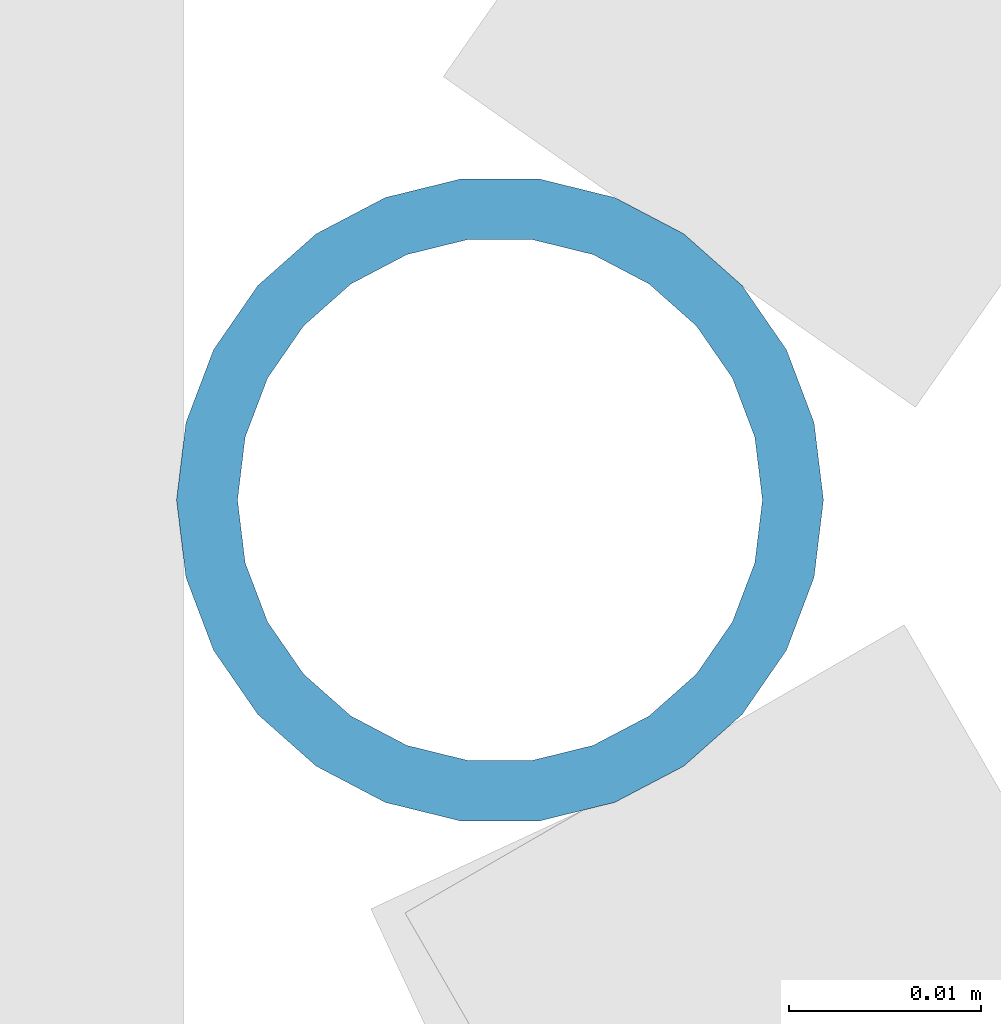
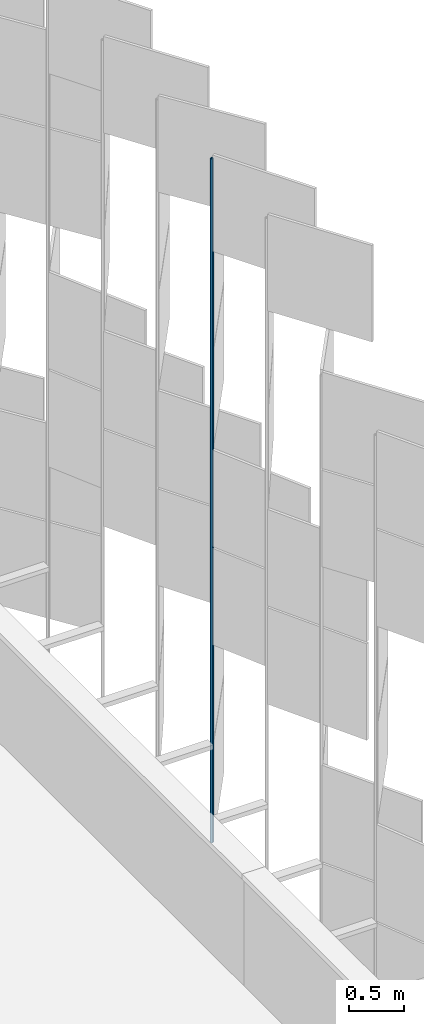
# One storey, part 281 of 483: 1 discrete accessory.
"""IFC4 building model written with IfcOpenShell, lengths in metres."""

import ifcopenshell
import ifcopenshell.guid

model = None  # the IFC model being written
_history = None  # IfcOwnerHistory: only IFC2X3 demands one
_inside = {}  # id of a spatial element -> (the spatial element, [elements in it])
_under = {}  # id of a project, library or spatial element -> (it, [spatial elements below it])
_declared = {}  # id of a project -> (the project, [libraries it declares])
_typed = {}  # id of a type object -> (the type object, [elements of that type])
_made_of = {}  # id of a material, layer set ... -> (it, [elements and type objects made of it])


def new_model(schema):
    """Start an empty IFC model of exactly this schema.

    Asked for "IFC4X3", IfcOpenShell would pick the latest addendum, in which some entities
    have other attributes; the version numbers below select the first issue.
    IFC2X3 requires an IfcOwnerHistory on every rooted entity: one is made here for all.
    """
    global model, _history
    if schema == "IFC4X3":
        model = ifcopenshell.file(schema_version=(4, 3, 0, 0))
    else:
        model = ifcopenshell.file(schema=schema)
    _inside.clear()
    _under.clear()
    _declared.clear()
    _typed.clear()
    _made_of.clear()
    _history = None
    if model.schema == "IFC2X3":
        org = make("IfcOrganization", Name="unknown")
        user = make(
            "IfcPersonAndOrganization",
            ThePerson=make("IfcPerson", FamilyName="unknown"),
            TheOrganization=org,
        )
        app = make(
            "IfcApplication",
            ApplicationDeveloper=org,
            Version="unknown",
            ApplicationFullName="unknown",
            ApplicationIdentifier="unknown",
        )
        _history = make(
            "IfcOwnerHistory",
            OwningUser=user,
            OwningApplication=app,
            ChangeAction="ADDED",
            CreationDate=0,
        )
    return model


def make(cls, **values):
    """One entity of the class cls with the attributes given. An attribute that is None is left unset."""
    return model.create_entity(
        cls, **{name: value for name, value in values.items() if value is not None}
    )


def rooted(cls, **values):
    """An entity with a GlobalId (a new one), such as an element, a storey or a relation."""
    return make(cls, GlobalId=ifcopenshell.guid.new(), OwnerHistory=_history, **values)


def si_unit(unit_type, name, prefix=None):
    """IfcSIUnit, for example si_unit("LENGTHUNIT", "METRE", prefix="MILLI")."""
    return make("IfcSIUnit", UnitType=unit_type, Prefix=prefix, Name=name)


def assignment(units):
    """IfcUnitAssignment: the units of a project."""
    return None if units is None else make("IfcUnitAssignment", Units=units)


def point(xyz):
    """IfcCartesianPoint."""
    return None if xyz is None else make("IfcCartesianPoint", Coordinates=xyz)


def direction(xyz):
    """IfcDirection."""
    return None if xyz is None else make("IfcDirection", DirectionRatios=xyz)


def frame(location, z_axis=None, x_axis=None):
    """IfcAxis2Placement3D, a coordinate frame: its origin and axes. An axis left out is left unset."""
    return make(
        "IfcAxis2Placement3D",
        Location=point(location),
        Axis=direction(z_axis),
        RefDirection=direction(x_axis),
    )


def frame_2d(location, x_axis=None):
    """IfcAxis2Placement2D, a coordinate frame in the plane: its origin and x axis."""
    return make(
        "IfcAxis2Placement2D", Location=point(location), RefDirection=direction(x_axis)
    )


def origin():
    """The frame at (0, 0, 0) with its axes left unset."""
    return frame((0.0, 0.0, 0.0))


def origin_2d():
    """The frame at (0, 0) in the plane with its x axis left unset."""
    return frame_2d((0.0, 0.0))


def place(relative_to, where):
    """IfcLocalPlacement: puts the frame where relative to a parent placement (None: the world)."""
    return make(
        "IfcLocalPlacement", PlacementRelTo=relative_to, RelativePlacement=where
    )


def context(
    kind, dimensions, precision=None, world=None, true_north=None, identifier=None
):
    """IfcGeometricRepresentationContext, for example the 3D "Model" context."""
    return make(
        "IfcGeometricRepresentationContext",
        ContextIdentifier=identifier,
        ContextType=kind,
        CoordinateSpaceDimension=dimensions,
        Precision=precision,
        WorldCoordinateSystem=world,
        TrueNorth=true_north,
    )


def subcontext(parent, identifier, kind, view, scale=None):
    """IfcGeometricRepresentationSubContext, for example "Body" below "Model"."""
    return make(
        "IfcGeometricRepresentationSubContext",
        ContextIdentifier=identifier,
        ContextType=kind,
        ParentContext=parent,
        TargetScale=scale,
        TargetView=view,
    )


def project(units=None, contexts=None):
    """IfcProject with its units and contexts."""
    return rooted(
        "IfcProject",
        Name="project",
        RepresentationContexts=contexts,
        UnitsInContext=assignment(units),
    )


def spatial(cls, under=None, at=None, **own):
    """A site, building, storey or space (cls), placed at a placement, below another one or the project."""
    s = rooted(cls, ObjectPlacement=at, **own)
    if under is not None:
        _under.setdefault(under.id(), (under, []))[1].append(s)
    return s


def profile(cls, at=None, kind="AREA", **sizes):
    """A parametric profile (cls). Its sizes go by their IFC names, for example OverallWidth=200.0."""
    return make(cls, ProfileType=kind, Position=at, **sizes)


def hollow_circle(**sizes):
    """IfcCircleHollowProfileDef."""
    return profile("IfcCircleHollowProfileDef", **sizes)


def extrude(swept, where, along, depth):
    """IfcExtrudedAreaSolid: the profile swept, set in the frame where, extruded along a direction by depth."""
    return make(
        "IfcExtrudedAreaSolid",
        SweptArea=swept,
        Position=where,
        ExtrudedDirection=direction(along),
        Depth=depth,
    )


def shape(context_of_items, identifier, shape_type, items):
    """IfcShapeRepresentation: the items that make up one representation, for example the "Body"."""
    return make(
        "IfcShapeRepresentation",
        ContextOfItems=context_of_items,
        RepresentationIdentifier=identifier,
        RepresentationType=shape_type,
        Items=items,
    )


def material(Name=None, Category=None):
    """IfcMaterial."""
    return make("IfcMaterial", Name=Name, Category=Category)


def material_profile(
    of_material, cross_section, Name=None, Category=None, Priority=None
):
    """IfcMaterialProfile: a cross section and its material."""
    return make(
        "IfcMaterialProfile",
        Name=Name,
        Material=of_material,
        Profile=cross_section,
        Priority=Priority,
        Category=Category,
    )


def profile_set(profiles, Name=None, composite=None):
    """IfcMaterialProfileSet."""
    return make(
        "IfcMaterialProfileSet",
        Name=Name,
        MaterialProfiles=profiles,
        CompositeProfile=composite,
    )


def made_of(thing, what):
    """Note that an element or type object is made of a material, layer set ...; save() writes the relation."""
    if what is not None:
        _made_of.setdefault(what.id(), (what, []))[1].append(thing)
    return thing


def type_object(cls, material=None, **own):
    """A type object (cls), such as IfcWallType, which elements share."""
    return made_of(rooted(cls, **own), material)


def element(
    cls,
    number,
    at=None,
    inside=None,
    cuts=None,
    type_object=None,
    material=None,
    context=None,
    identifier="Body",
    shape_type=None,
    held_by="IfcProductDefinitionShape",
    body=None,
    shapes=None,
    **own,
):
    """One element of the class cls, such as IfcWall. Its Tag is "e" and its number.

    at: its placement. inside: the storey or other place that contains it. cuts: it is an
    opening in that element (IfcRelVoidsElement). A single representation is given by context,
    identifier, shape_type and body (its items); several are given by shapes. held_by: the class
    of the entity that holds the representations. save() writes the other relations.
    """
    e = rooted(cls, Tag="e%d" % number, ObjectPlacement=at, **own)
    if body is not None:
        shapes = [shape(context, identifier, shape_type, body)]
    if shapes is not None:
        e.Representation = make(held_by, Representations=shapes)
    if inside is not None:
        _inside.setdefault(inside.id(), (inside, []))[1].append(e)
    if cuts is not None:
        rooted(
            "IfcRelVoidsElement", RelatingBuildingElement=cuts, RelatedOpeningElement=e
        )
    if type_object is not None:
        _typed.setdefault(type_object.id(), (type_object, []))[1].append(e)
    return made_of(e, material)


def aggregate(whole, parts):
    """IfcRelAggregates: a whole, such as a stair, and the parts it consists of."""
    return rooted("IfcRelAggregates", RelatingObject=whole, RelatedObjects=parts)


def save(model, path):
    """Write the relations noted so far, then the file.

    IfcRelAggregates (storeys below a building ...), IfcRelContainedInSpatialStructure (elements
    in a storey), IfcRelDefinesByType, IfcRelAssociatesMaterial and IfcRelDeclares: one each for
    every whole, place, type object, material and project.
    """
    for whole, parts in _under.values():
        aggregate(whole, parts)
    for where, things in _inside.values():
        rooted(
            "IfcRelContainedInSpatialStructure",
            RelatedElements=things,
            RelatingStructure=where,
        )
    for kind, things in _typed.values():
        rooted("IfcRelDefinesByType", RelatedObjects=things, RelatingType=kind)
    for what, things in _made_of.values():
        rooted("IfcRelAssociatesMaterial", RelatedObjects=things, RelatingMaterial=what)
    for by, libraries in _declared.values():
        rooted("IfcRelDeclares", RelatingContext=by, RelatedDefinitions=libraries)
    model.write(path)


model = new_model("IFC4")

# Units and contexts
model_context = context("Model", 3, precision=1e-05, world=origin(), true_north=direction((0.0, 1.0)))
body_context = subcontext(model_context, "Body", "Model", "MODEL_VIEW")
ifc_project = project(units=[si_unit("LENGTHUNIT", "METRE"), si_unit("AREAUNIT", "SQUARE_METRE"), si_unit("VOLUMEUNIT", "CUBIC_METRE"), si_unit("PLANEANGLEUNIT", "RADIAN"), si_unit("MASSUNIT", "GRAM", prefix="KILO")], contexts=[model_context])

# Site, building, storey
site_placement = place(None, origin())
site = spatial("IfcSite", under=ifc_project, at=site_placement, CompositionType="ELEMENT")
building_placement = place(site_placement, origin())
building = spatial("IfcBuilding", under=site, at=building_placement, Name="Parallax Yard Mobility Hub", CompositionType="ELEMENT")
storey_placement = place(building_placement, frame((0.0, 0.0, 13.199951171875)))
storey = spatial("IfcBuildingStorey", under=building, at=storey_placement, Name="L04", CompositionType="ELEMENT", Elevation=13.199951171875)

# Discrete accessory
ifc_material = material(Name="Steel ASTM A500 Gr C, hot-dip galvanised", Category="steel")
ifc_material_profile = material_profile(ifc_material, hollow_circle(Radius=0.016845703125, WallThickness=0.003173828125, at=origin_2d()), Name="CHS 33.7x3.2")
ifc_profile_set = profile_set([ifc_material_profile], Name="Steel ASTM A500 Gr C, hot-dip galvanised")
discrete_accessory_type = type_object("IfcDiscreteAccessoryType", Name="Hinge post CHS 33.7x3.2", PredefinedType="BRACKET", material=ifc_profile_set)
discrete_accessory_placement = place(storey_placement, frame((225.651611328125, 84.643798828125, 0.0), z_axis=(0.0, 0.0, 1.0), x_axis=(1.0, 0.0, 0.0)))
element("IfcDiscreteAccessory", 1, at=discrete_accessory_placement, inside=storey, type_object=discrete_accessory_type, Name="Hinge post bay 40.3 level L04", PredefinedType="BRACKET", context=body_context, shape_type="SweptSolid", body=[
    extrude(hollow_circle(Radius=0.016845703125, WallThickness=0.003173828125, at=origin_2d()), origin(), (0.0, 0.0, 1.0), 7.650146484375),
])

save(model, "model.ifc")
